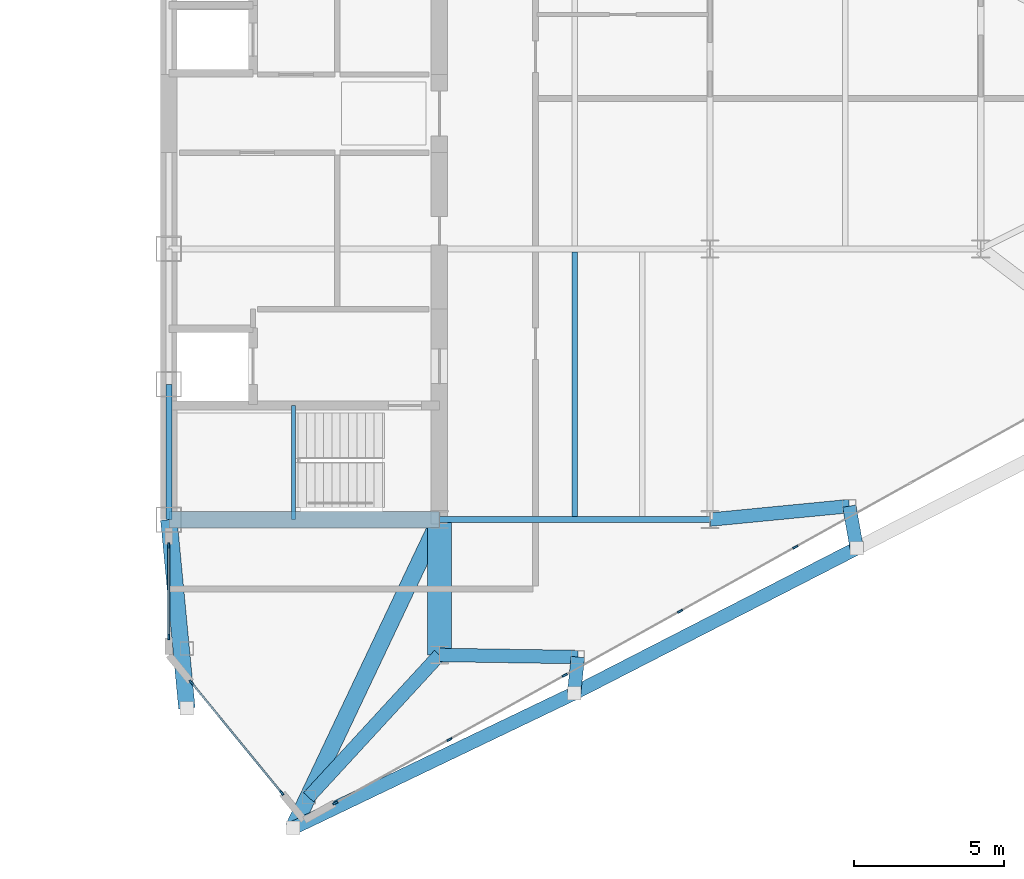
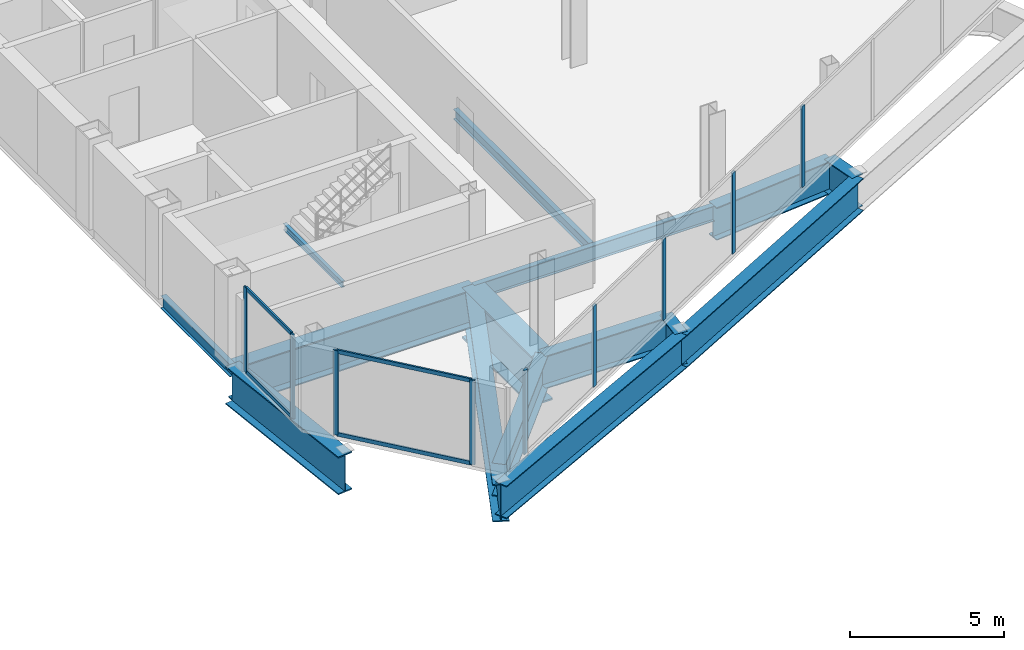
# One storey, part 11 of 28: 15 beams, 13 members, 3 elements without a shape of their own.
"""IFC4 building model written with IfcOpenShell, lengths in metres."""

from ifc_helpers import new_model, si_unit, direction, frame, origin, origin_2d, place, context, subcontext, project, spatial, rectangle, i_section, extrude, source, transform, mapped, material, layer, layer_set, material_profile, profile_set, type_object, type_shapes, element, aggregate, save


model = new_model("IFC4")

# Units and contexts
model_context = context("Model", 3, precision=1e-05, world=origin(), true_north=direction((0.0, 1.0)))
body_context = subcontext(model_context, "Body", "Model", "MODEL_VIEW")
ifc_project = project(units=[si_unit("LENGTHUNIT", "METRE"), si_unit("AREAUNIT", "SQUARE_METRE"), si_unit("VOLUMEUNIT", "CUBIC_METRE"), si_unit("PLANEANGLEUNIT", "RADIAN"), si_unit("MASSUNIT", "GRAM", prefix="KILO")], contexts=[model_context])

# Site, building, storey
site_placement = place(None, origin())
site = spatial("IfcSite", under=ifc_project, at=site_placement, CompositionType="ELEMENT")
building_placement = place(site_placement, origin())
building = spatial("IfcBuilding", under=site, at=building_placement, Name="Seokmaru Belvedere", CompositionType="ELEMENT")
storey_placement = place(building_placement, frame((0.0, 0.0, 158.39990234375)))
storey = spatial("IfcBuildingStorey", under=building, at=storey_placement, Name="L42", CompositionType="ELEMENT", Elevation=158.39990234375)

# Beams
ifc_material_1 = material(Name="Steel SM355 (355 MPa)", Category="steel")
ifc_material_profile_1 = material_profile(ifc_material_1, i_section(OverallWidth=0.199951171875, OverallDepth=0.5, WebThickness=0.010009765625, FlangeThickness=0.01611328125, at=origin_2d()), Name="H-500x200x10x16")
ifc_profile_set_1 = profile_set([ifc_material_profile_1], Name="Steel SM355 (355 MPa)")
beam_type_1 = type_object("IfcBeamType", Name="Perimeter Spandrel Beam H-500", PredefinedType="SPANDREL", material=ifc_profile_set_1)
shared_shape_1 = source(origin(), body_context, "Body", "SweptSolid", [
    extrude(i_section(OverallWidth=0.199951171875, OverallDepth=0.5, WebThickness=0.010009765625, FlangeThickness=0.01611328125, at=origin_2d()), origin(), (0.0, 0.0, 1.0), 4.5),
])
type_shapes(beam_type_1, [shared_shape_1])
beam_1_placement = place(storey_placement, frame((27.5, -13.5, -0.469970703125), z_axis=(0.0, 1.0, 0.0), x_axis=(-1.0, 0.0, 0.0)))
element("IfcBeam", 1, at=beam_1_placement, inside=storey, type_object=beam_type_1, Name="L42 E Portal Spine Spandrel 1", PredefinedType="SPANDREL", context=body_context, shape_type="MappedRepresentation", body=[
    mapped(shared_shape_1, transform((0.0, 0.0, 0.0), scale=1.0)),
])
ifc_material_2 = material(Name="Steel HSA650 (650 MPa)", Category="steel")
ifc_material_profile_2 = material_profile(ifc_material_2, i_section(OverallWidth=0.800048828125, OverallDepth=2.0, WebThickness=0.0400390625, FlangeThickness=0.070068359375, at=origin_2d()), Name="BH-2000x800x40x70")
ifc_profile_set_2 = profile_set([ifc_material_profile_2], Name="Steel HSA650 (650 MPa)")
beam_type_2 = type_object("IfcBeamType", Name="Sky-Gate Transfer Truss Chord Girder BH-2000", PredefinedType="BEAM", material=ifc_profile_set_2)
shared_shape_2 = source(origin(), body_context, "Body", "SweptSolid", [
    extrude(i_section(OverallWidth=0.800048828125, OverallDepth=2.0, WebThickness=0.0400390625, FlangeThickness=0.070068359375, at=origin_2d()), origin(), (0.0, 0.0, 1.0), 4.5),
])
type_shapes(beam_type_2, [shared_shape_2])
beam_2_placement = place(storey_placement, frame((36.5, -18.0, -1.219970703125), z_axis=(0.0, 1.0, 0.0), x_axis=(-1.0, 0.0, 0.0)))
element("IfcBeam", 2, at=beam_2_placement, inside=storey, type_object=beam_type_2, Name="L42 E Core Shoulder Girder S", PredefinedType="BEAM", context=body_context, shape_type="MappedRepresentation", body=[
    mapped(shared_shape_2, transform((0.0, 0.0, 0.0), scale=1.0)),
])
ifc_material_profile_3 = material_profile(ifc_material_2, i_section(OverallWidth=0.550048828125, OverallDepth=1.5, WebThickness=0.028076171875, FlangeThickness=0.044921875, at=origin_2d()), Name="BH-1500x550x28x45")
ifc_profile_set_3 = profile_set([ifc_material_profile_3], Name="Steel HSA650 (650 MPa)")
beam_type_3 = type_object("IfcBeamType", Name="Setback Transfer Girder BH-1500", PredefinedType="BEAM", material=ifc_profile_set_3)
shared_shape_3 = source(origin(), body_context, "Body", "SweptSolid", [
    extrude(i_section(OverallWidth=0.550048828125, OverallDepth=1.5, WebThickness=0.028076171875, FlangeThickness=0.044921875, at=origin_2d()), origin(), (0.0, 0.0, 1.0), 9.0),
])
beam_3_placement = place(storey_placement, frame((27.5, -13.5, -0.969970703125), z_axis=(1.0, 0.0, 0.0), x_axis=(0.0, 1.0, 0.0)))
element("IfcBeam", 3, at=beam_3_placement, inside=storey, type_object=beam_type_3, Name="L42 E Core Transfer Header 1", PredefinedType="BEAM", context=body_context, shape_type="MappedRepresentation", body=[
    mapped(shared_shape_3, transform((0.0, 0.0, 0.0), scale=1.0)),
])
ifc_material_profile_4 = material_profile(ifc_material_1, i_section(OverallWidth=0.199951171875, OverallDepth=0.60009765625, WebThickness=0.010986328125, FlangeThickness=0.01708984375, at=origin_2d()), Name="H-600x200x11x17")
ifc_profile_set_4 = profile_set([ifc_material_profile_4], Name="Steel SM355 (355 MPa)")
beam_type_4 = type_object("IfcBeamType", Name="Primary Floor Girder H-600", PredefinedType="BEAM", material=ifc_profile_set_4)
shared_shape_4 = source(origin(), body_context, "Body", "SweptSolid", [
    extrude(i_section(OverallWidth=0.199951171875, OverallDepth=0.60009765625, WebThickness=0.010986328125, FlangeThickness=0.01708984375, at=origin_2d()), origin(), (0.0, 0.0, 1.0), 9.0),
])
type_shapes(beam_type_4, [shared_shape_4])
beam_4_placement = place(storey_placement, frame((36.5, -13.5, -0.52001953125), z_axis=(1.0, 0.0, 0.0), x_axis=(0.0, 1.0, 0.0)))
element("IfcBeam", 4, at=beam_4_placement, inside=storey, type_object=beam_type_4, Name="L42 E Wing Primary Girder 1", PredefinedType="BEAM", context=body_context, shape_type="MappedRepresentation", body=[
    mapped(shared_shape_4, transform((0.0, 0.0, 0.0), scale=1.0)),
])
ifc_material_profile_5 = material_profile(ifc_material_1, i_section(OverallWidth=0.18505859375, OverallDepth=0.389892578125, WebThickness=0.008056640625, FlangeThickness=0.011962890625, at=origin_2d()), Name="H-390x185x8x12")
ifc_profile_set_5 = profile_set([ifc_material_profile_5], Name="Steel SM355 (355 MPa)")
beam_type_5 = type_object("IfcBeamType", Name="Secondary Floor Joist H-350", PredefinedType="JOIST", material=ifc_profile_set_5)
shared_shape_5 = source(origin(), body_context, "Body", "SweptSolid", [
    extrude(i_section(OverallWidth=0.18505859375, OverallDepth=0.389892578125, WebThickness=0.008056640625, FlangeThickness=0.011962890625, at=origin_2d()), origin(), (0.0, 0.0, 1.0), 8.7900390625),
])
type_shapes(beam_type_5, [shared_shape_5])
beam_5_placement = place(storey_placement, frame((41.0, -13.39501953125, -0.414794921875), z_axis=(0.0, 1.0, 0.0), x_axis=(-1.0, 0.0, 0.0)))
element("IfcBeam", 5, at=beam_5_placement, inside=storey, type_object=beam_type_5, Name="L42 E Secondary Floor Joist 1", PredefinedType="JOIST", context=body_context, shape_type="MappedRepresentation", body=[
    mapped(shared_shape_5, transform((0.0, 0.0, 0.0), scale=1.0)),
])
ifc_material_profile_6 = material_profile(ifc_material_2, i_section(OverallWidth=0.449951171875, OverallDepth=1.300048828125, WebThickness=0.02197265625, FlangeThickness=0.0380859375, at=origin_2d()), Name="BH-1300x450x22x38")
ifc_profile_set_6 = profile_set([ifc_material_profile_6], Name="Steel HSA650 (650 MPa)")
beam_type_6 = type_object("IfcBeamType", Name="Observatory Long-Span Roof Girder BH-1300", PredefinedType="BEAM", material=ifc_profile_set_6)
shared_shape_6 = source(origin(), body_context, "Body", "SweptSolid", [
    extrude(i_section(OverallWidth=0.449951171875, OverallDepth=1.300048828125, WebThickness=0.02197265625, FlangeThickness=0.0380859375, at=origin_2d()), origin(), (0.0, 0.0, 1.0), 10.353759765625),
])
beam_6_placement = place(storey_placement, frame((31.6396484375, -23.75390625, -0.869873046875), z_axis=(0.901713202822, 0.432334708134, 0.0), x_axis=(-0.432334708134, 0.901713202822, 0.0)))
element("IfcBeam", 6, at=beam_6_placement, inside=storey, type_object=beam_type_6, Name="L42 E Faceted Flank Spandrel S-1", PredefinedType="BEAM", context=body_context, shape_type="MappedRepresentation", body=[
    mapped(shared_shape_6, transform((0.0, 0.0, 0.0), scale=1.0)),
])
shared_shape_7 = source(origin(), body_context, "Body", "SweptSolid", [
    extrude(i_section(OverallWidth=0.449951171875, OverallDepth=1.300048828125, WebThickness=0.02197265625, FlangeThickness=0.0380859375, at=origin_2d()), origin(), (0.0, 0.0, 1.0), 10.56689453125),
])
beam_7_placement = place(storey_placement, frame((40.975830078125, -19.277587890625, -0.869873046875), z_axis=(0.889701972758, 0.45654178305, 0.0), x_axis=(-0.45654178305, 0.889701972758, 0.0)))
element("IfcBeam", 7, at=beam_7_placement, inside=storey, type_object=beam_type_6, Name="L42 E Faceted Flank Spandrel S-2", PredefinedType="BEAM", context=body_context, shape_type="MappedRepresentation", body=[
    mapped(shared_shape_7, transform((0.0, 0.0, 0.0), scale=1.0)),
])
shared_shape_8 = source(origin(), body_context, "Body", "SweptSolid", [
    extrude(i_section(OverallWidth=0.550048828125, OverallDepth=1.5, WebThickness=0.028076171875, FlangeThickness=0.044921875, at=origin_2d()), origin(), (0.0, 0.0, 1.0), 6.300537109375),
])
beam_8_placement = place(storey_placement, frame((28.10009765625, -19.77197265625, -0.969970703125), z_axis=(-0.095244287992, 0.995453929424, 0.0), x_axis=(-0.995453929424, -0.095244287992, 0.0)))
element("IfcBeam", 8, at=beam_8_placement, inside=storey, type_object=beam_type_3, Name="L42 E Setback Transfer Girder 6", PredefinedType="BEAM", context=body_context, shape_type="MappedRepresentation", body=[
    mapped(shared_shape_8, transform((0.0, 0.0, 0.0), scale=1.0)),
])
shared_shape_9 = source(origin(), body_context, "Body", "SweptSolid", [
    extrude(i_section(OverallWidth=0.550048828125, OverallDepth=1.5, WebThickness=0.028076171875, FlangeThickness=0.044921875, at=origin_2d()), origin(), (0.0, 0.0, 1.0), 11.347412109375),
])
type_shapes(beam_type_3, [shared_shape_3, shared_shape_8, shared_shape_9])
beam_9_placement = place(storey_placement, frame((31.6396484375, -23.75390625, -0.969970703125), z_axis=(0.428319392777, 0.903627410923, 0.0), x_axis=(-0.903627410923, 0.428319392777, 0.0)))
element("IfcBeam", 9, at=beam_9_placement, inside=storey, type_object=beam_type_3, Name="L42 E Setback Transfer Girder 1", PredefinedType="BEAM", context=body_context, shape_type="MappedRepresentation", body=[
    mapped(shared_shape_9, transform((0.0, 0.0, 0.0), scale=1.0)),
])
shared_shape_10 = source(origin(), body_context, "Body", "SweptSolid", [
    extrude(i_section(OverallWidth=0.449951171875, OverallDepth=1.300048828125, WebThickness=0.02197265625, FlangeThickness=0.0380859375, at=origin_2d()), origin(), (0.0, 0.0, 1.0), 6.4296875),
])
beam_10_placement = place(storey_placement, frame((32.146728515625, -22.731689453125, -0.869873046875), z_axis=(0.677066401984, 0.73592193017, 0.0), x_axis=(-0.73592193017, 0.677066401984, 0.0)))
element("IfcBeam", 10, at=beam_10_placement, inside=storey, type_object=beam_type_6, Name="L42 E Shoulder Sanity Tie Girder 1", PredefinedType="BEAM", context=body_context, shape_type="MappedRepresentation", body=[
    mapped(shared_shape_10, transform((0.0, 0.0, 0.0), scale=1.0)),
])
shared_shape_11 = source(origin(), body_context, "Body", "SweptSolid", [
    extrude(i_section(OverallWidth=0.449951171875, OverallDepth=1.300048828125, WebThickness=0.02197265625, FlangeThickness=0.0380859375, at=origin_2d()), origin(), (0.0, 0.0, 1.0), 1.213623046875),
])
beam_11_placement = place(storey_placement, frame((40.975830078125, -19.277587890625, -0.869873046875), z_axis=(0.105417819447, 0.994428018181, 0.0), x_axis=(-0.994428018181, 0.105417819447, 0.0)))
element("IfcBeam", 11, at=beam_11_placement, inside=storey, type_object=beam_type_6, Name="L42 E Flank Setback Step Girder S-1", PredefinedType="BEAM", context=body_context, shape_type="MappedRepresentation", body=[
    mapped(shared_shape_11, transform((0.0, 0.0, 0.0), scale=1.0)),
])
shared_shape_12 = source(origin(), body_context, "Body", "SweptSolid", [
    extrude(i_section(OverallWidth=0.449951171875, OverallDepth=1.300048828125, WebThickness=0.02197265625, FlangeThickness=0.0380859375, at=origin_2d()), origin(), (0.0, 0.0, 1.0), 4.604248046875),
])
beam_12_placement = place(storey_placement, frame((41.103759765625, -18.07080078125, -0.869873046875), z_axis=(-0.999881765622, 0.01537708607, 0.0), x_axis=(-0.01537708607, -0.999881765622, 0.0)))
element("IfcBeam", 12, at=beam_12_placement, inside=storey, type_object=beam_type_6, Name="L42 E Flank Setback Back-Span Girder S-1", PredefinedType="BEAM", context=body_context, shape_type="MappedRepresentation", body=[
    mapped(shared_shape_12, transform((0.0, 0.0, 0.0), scale=1.0)),
])
shared_shape_13 = source(origin(), body_context, "Body", "SweptSolid", [
    extrude(i_section(OverallWidth=0.449951171875, OverallDepth=1.300048828125, WebThickness=0.02197265625, FlangeThickness=0.0380859375, at=origin_2d()), origin(), (0.0, 0.0, 1.0), 1.424072265625),
])
beam_13_placement = place(storey_placement, frame((50.377197265625, -14.453369140625, -0.869873046875), z_axis=(-0.174176510903, 0.984714447467, 0.0), x_axis=(-0.984714447467, -0.174176510903, 0.0)))
element("IfcBeam", 13, at=beam_13_placement, inside=storey, type_object=beam_type_6, Name="L42 E Flank Setback Step Girder S-2", PredefinedType="BEAM", context=body_context, shape_type="MappedRepresentation", body=[
    mapped(shared_shape_13, transform((0.0, 0.0, 0.0), scale=1.0)),
])
shared_shape_14 = source(origin(), body_context, "Body", "SweptSolid", [
    extrude(i_section(OverallWidth=0.449951171875, OverallDepth=1.300048828125, WebThickness=0.02197265625, FlangeThickness=0.0380859375, at=origin_2d()), origin(), (0.0, 0.0, 1.0), 4.65087890625),
])
type_shapes(beam_type_6, [shared_shape_6, shared_shape_7, shared_shape_10, shared_shape_11, shared_shape_12, shared_shape_13, shared_shape_14])
beam_14_placement = place(storey_placement, frame((50.129150390625, -13.051025390625, -0.869873046875), z_axis=(-0.995329534874, -0.09653557379, 0.0), x_axis=(0.09653557379, -0.995329534874, 0.0)))
element("IfcBeam", 14, at=beam_14_placement, inside=storey, type_object=beam_type_6, Name="L42 E Flank Setback Back-Span Girder S-2", PredefinedType="BEAM", context=body_context, shape_type="MappedRepresentation", body=[
    mapped(shared_shape_14, transform((0.0, 0.0, 0.0), scale=1.0)),
])

# Curtain wall, member
ifc_material_3 = material(Name="Bronze Triple Insulating Glass", Category="glass")
ifc_layer = layer(ifc_material_3, 0.179931640625)
ifc_layer_set = layer_set([ifc_layer], Name="Bronze Triple Insulating Glass")
curtain_wall_type = type_object("IfcCurtainWallType", Name="High-Rise Wind-Corner Curtain Wall System CW-5", PredefinedType="NOTDEFINED", material=ifc_layer_set)
curtain_wall_1_placement = place(storey_placement, origin())
curtain_wall_1 = element("IfcCurtainWall", 15, at=curtain_wall_1_placement, inside=storey, type_object=curtain_wall_type, Name="L42 Curtain Wall EF1", PredefinedType="NOTDEFINED")
ifc_material_4 = material(Name="Anodised Bronze Aluminium", Category="aluminium")
ifc_material_profile_7 = material_profile(ifc_material_4, rectangle(XDim=0.06494140625, YDim=0.179931640625, at=origin_2d()), Name="CW-M-65x180")
ifc_profile_set_7 = profile_set([ifc_material_profile_7], Name="Anodised Bronze Aluminium")
member_type_1 = type_object("IfcMemberType", Name="Bronze Unitised Mullion 65x180", PredefinedType="MULLION", material=ifc_profile_set_7)
shared_shape_15 = source(origin(), body_context, "Body", "SweptSolid", [
    extrude(rectangle(XDim=0.06494140625, YDim=0.179931640625, at=origin_2d()), origin(), (0.0, 0.0, 1.0), 3.340087890625),
])
member_1_placement = place(storey_placement, frame((33.033447265625, -22.92529296875, 0.0), z_axis=(0.0, 0.0, 1.0), x_axis=(-0.486047125147, 0.873932601598, 0.0)))
member_1 = element("IfcMember", 16, at=member_1_placement, type_object=member_type_1, Name="CW:L42:EF1 Mullion 1", PredefinedType="MULLION", context=body_context, shape_type="MappedRepresentation", body=[
    mapped(shared_shape_15, transform((0.0, 0.0, 0.0), scale=1.0)),
])

# Curtain wall, members
curtain_wall_2_placement = place(storey_placement, origin())
curtain_wall_2 = element("IfcCurtainWall", 17, at=curtain_wall_2_placement, inside=storey, type_object=curtain_wall_type, Name="L42 Curtain Wall ESP_1", PredefinedType="NOTDEFINED")
member_2_placement = place(storey_placement, frame((27.5, -14.362548828125, 0.0), z_axis=(0.0, 0.0, 1.0), x_axis=(1.0, 0.0, 0.0)))
member_2 = element("IfcMember", 18, at=member_2_placement, type_object=member_type_1, Name="CW:L42:ESP_1 Mullion 1", PredefinedType="MULLION", context=body_context, shape_type="MappedRepresentation", body=[
    mapped(shared_shape_15, transform((0.0, 0.0, 0.0), scale=1.0)),
])
member_3_placement = place(storey_placement, frame((27.5, -17.3974609375, 0.0), z_axis=(0.0, 0.0, 1.0), x_axis=(1.0, 0.0, 0.0)))
member_3 = element("IfcMember", 19, at=member_3_placement, type_object=member_type_1, Name="CW:L42:ESP_1 Mullion 2", PredefinedType="MULLION", context=body_context, shape_type="MappedRepresentation", body=[
    mapped(shared_shape_15, transform((0.0, 0.0, 0.0), scale=1.0)),
])

curtain_wall_3_placement = place(storey_placement, origin())
curtain_wall_3 = element("IfcCurtainWall", 20, at=curtain_wall_3_placement, inside=storey, type_object=curtain_wall_type, Name="L42 Curtain Wall EF6", PredefinedType="NOTDEFINED")
member_4_placement = place(storey_placement, frame((28.248779296875, -18.915283203125, 0.0), z_axis=(0.0, 0.0, 1.0), x_axis=(0.773944112379, 0.633253907144, 0.0)))
member_4 = element("IfcMember", 21, at=member_4_placement, type_object=member_type_1, Name="CW:L42:EF6 Mullion 1", PredefinedType="MULLION", context=body_context, shape_type="MappedRepresentation", body=[
    mapped(shared_shape_15, transform((0.0, 0.0, 0.0), scale=1.0)),
])
member_5_placement = place(storey_placement, frame((31.251220703125, -22.584716796875, 0.0), z_axis=(0.0, 0.0, 1.0), x_axis=(0.773944112379, 0.633253907144, 0.0)))
member_5 = element("IfcMember", 22, at=member_5_placement, type_object=member_type_1, Name="CW:L42:EF6 Mullion 2", PredefinedType="MULLION", context=body_context, shape_type="MappedRepresentation", body=[
    mapped(shared_shape_15, transform((0.0, 0.0, 0.0), scale=1.0)),
])

# Member
ifc_material_profile_8 = material_profile(ifc_material_4, rectangle(XDim=0.06494140625, YDim=0.14990234375, at=origin_2d()), Name="CW-T-65x150")
ifc_profile_set_8 = profile_set([ifc_material_profile_8], Name="Anodised Bronze Aluminium")
member_type_2 = type_object("IfcMemberType", Name="Bronze Unitised Transom 65x150", PredefinedType="USERDEFINED", material=ifc_profile_set_8)
shared_shape_16 = source(origin(), body_context, "Body", "SweptSolid", [
    extrude(rectangle(XDim=0.06494140625, YDim=0.14990234375, at=origin_2d()), origin(), (0.0, 0.0, 1.0), 2.969970703125),
])
member_6_placement = place(storey_placement, frame((27.5, -14.39501953125, 0.03271484375), z_axis=(0.0, -1.0, 0.0), x_axis=(1.0, 0.0, 0.0)))
member_6 = element("IfcMember", 23, at=member_6_placement, type_object=member_type_2, Name="CW:L42:ESP_1 Continuous Transom 1", ObjectType="TRANSOM", PredefinedType="USERDEFINED", context=body_context, shape_type="MappedRepresentation", body=[
    mapped(shared_shape_16, transform((0.0, 0.0, 0.0), scale=1.0)),
])

member_7_placement = place(storey_placement, frame((27.5, -14.39501953125, 3.3076171875), z_axis=(0.0, -1.0, 0.0), x_axis=(1.0, 0.0, 0.0)))
member_7 = element("IfcMember", 24, at=member_7_placement, type_object=member_type_2, Name="CW:L42:ESP_1 Continuous Transom 2", ObjectType="TRANSOM", PredefinedType="USERDEFINED", context=body_context, shape_type="MappedRepresentation", body=[
    mapped(shared_shape_16, transform((0.0, 0.0, 0.0), scale=1.0)),
])

aggregate(curtain_wall_2, [member_2, member_3, member_6, member_7])

shared_shape_17 = source(origin(), body_context, "Body", "SweptSolid", [
    extrude(rectangle(XDim=0.06494140625, YDim=0.14990234375, at=origin_2d()), origin(), (0.0, 0.0, 1.0), 4.67626953125),
])
type_shapes(member_type_2, [shared_shape_16, shared_shape_17])
member_8_placement = place(storey_placement, frame((28.269287109375, -18.9404296875, 0.03271484375), z_axis=(0.633277591216, -0.773924733074, 0.0), x_axis=(0.773924733074, 0.633277591216, 0.0)))
member_8 = element("IfcMember", 25, at=member_8_placement, type_object=member_type_2, Name="CW:L42:EF6 Continuous Transom 1", ObjectType="TRANSOM", PredefinedType="USERDEFINED", context=body_context, shape_type="MappedRepresentation", body=[
    mapped(shared_shape_17, transform((0.0, 0.0, 0.0), scale=1.0)),
])

member_9_placement = place(storey_placement, frame((28.269287109375, -18.9404296875, 3.3076171875), z_axis=(0.633277591216, -0.773924733074, 0.0), x_axis=(0.773924733074, 0.633277591216, 0.0)))
member_9 = element("IfcMember", 26, at=member_9_placement, type_object=member_type_2, Name="CW:L42:EF6 Continuous Transom 2", ObjectType="TRANSOM", PredefinedType="USERDEFINED", context=body_context, shape_type="MappedRepresentation", body=[
    mapped(shared_shape_17, transform((0.0, 0.0, 0.0), scale=1.0)),
])

aggregate(curtain_wall_3, [member_4, member_5, member_8, member_9])

shared_shape_18 = source(origin(), body_context, "Body", "SweptSolid", [
    extrude(rectangle(XDim=0.06494140625, YDim=0.179931640625, at=origin_2d()), origin(), (0.0, 0.0, 1.0), 3.2099609375),
])
type_shapes(member_type_1, [shared_shape_15, shared_shape_18])
member_10_placement = place(storey_placement, frame((36.837158203125, -20.809814453125, 0.065185546875), z_axis=(0.0, 0.0, 1.0), x_axis=(-0.486047125147, 0.873932601598, 0.0)))
member_10 = element("IfcMember", 27, at=member_10_placement, type_object=member_type_1, Name="CW:L42:EF1 Mullion 2", PredefinedType="MULLION", context=body_context, shape_type="MappedRepresentation", body=[
    mapped(shared_shape_18, transform((0.0, 0.0, 0.0), scale=1.0)),
])

member_11_placement = place(storey_placement, frame((40.66943359375, -18.67822265625, 0.065185546875), z_axis=(0.0, 0.0, 1.0), x_axis=(-0.486047125147, 0.873932601598, 0.0)))
member_11 = element("IfcMember", 28, at=member_11_placement, type_object=member_type_1, Name="CW:L42:EF1 Mullion 3", PredefinedType="MULLION", context=body_context, shape_type="MappedRepresentation", body=[
    mapped(shared_shape_18, transform((0.0, 0.0, 0.0), scale=1.0)),
])

member_12_placement = place(storey_placement, frame((44.501708984375, -16.547119140625, 0.065185546875), z_axis=(0.0, 0.0, 1.0), x_axis=(-0.486047125147, 0.873932601598, 0.0)))
member_12 = element("IfcMember", 29, at=member_12_placement, type_object=member_type_1, Name="CW:L42:EF1 Mullion 4", PredefinedType="MULLION", context=body_context, shape_type="MappedRepresentation", body=[
    mapped(shared_shape_18, transform((0.0, 0.0, 0.0), scale=1.0)),
])

member_13_placement = place(storey_placement, frame((48.333984375, -14.415771484375, 0.065185546875), z_axis=(0.0, 0.0, 1.0), x_axis=(-0.486047125147, 0.873932601598, 0.0)))
member_13 = element("IfcMember", 30, at=member_13_placement, type_object=member_type_1, Name="CW:L42:EF1 Mullion 5", PredefinedType="MULLION", context=body_context, shape_type="MappedRepresentation", body=[
    mapped(shared_shape_18, transform((0.0, 0.0, 0.0), scale=1.0)),
])

aggregate(curtain_wall_1, [member_1, member_10, member_11, member_12, member_13])

# Beam
ifc_material_profile_9 = material_profile(ifc_material_1, i_section(OverallWidth=0.125, OverallDepth=0.25, WebThickness=0.006103515625, FlangeThickness=0.009033203125, at=origin_2d()), Name="H-250x125x6x9")
ifc_profile_set_9 = profile_set([ifc_material_profile_9], Name="Steel SM355 (355 MPa)")
beam_type_7 = type_object("IfcBeamType", Name="Stair Mid-Landing Support Beam H-250", PredefinedType="JOIST", material=ifc_profile_set_9)
shared_shape_19 = source(origin(), body_context, "Body", "SweptSolid", [
    extrude(i_section(OverallWidth=0.125, OverallDepth=0.25, WebThickness=0.006103515625, FlangeThickness=0.009033203125, at=origin_2d()), origin(), (0.0, 0.0, 1.0), 3.800048828125),
])
type_shapes(beam_type_7, [shared_shape_19])
beam_15_placement = place(storey_placement, frame((31.64990234375, -13.5, 1.47509765625), z_axis=(0.0, 1.0, 0.0), x_axis=(-1.0, 0.0, 0.0)))
element("IfcBeam", 31, at=beam_15_placement, inside=storey, type_object=beam_type_7, Name="L42 Stair ST-E1 Mid-Landing Support Beam 1", PredefinedType="JOIST", context=body_context, shape_type="MappedRepresentation", body=[
    mapped(shared_shape_19, transform((0.0, 0.0, 0.0), scale=1.0)),
])

save(model, "model.ifc")
